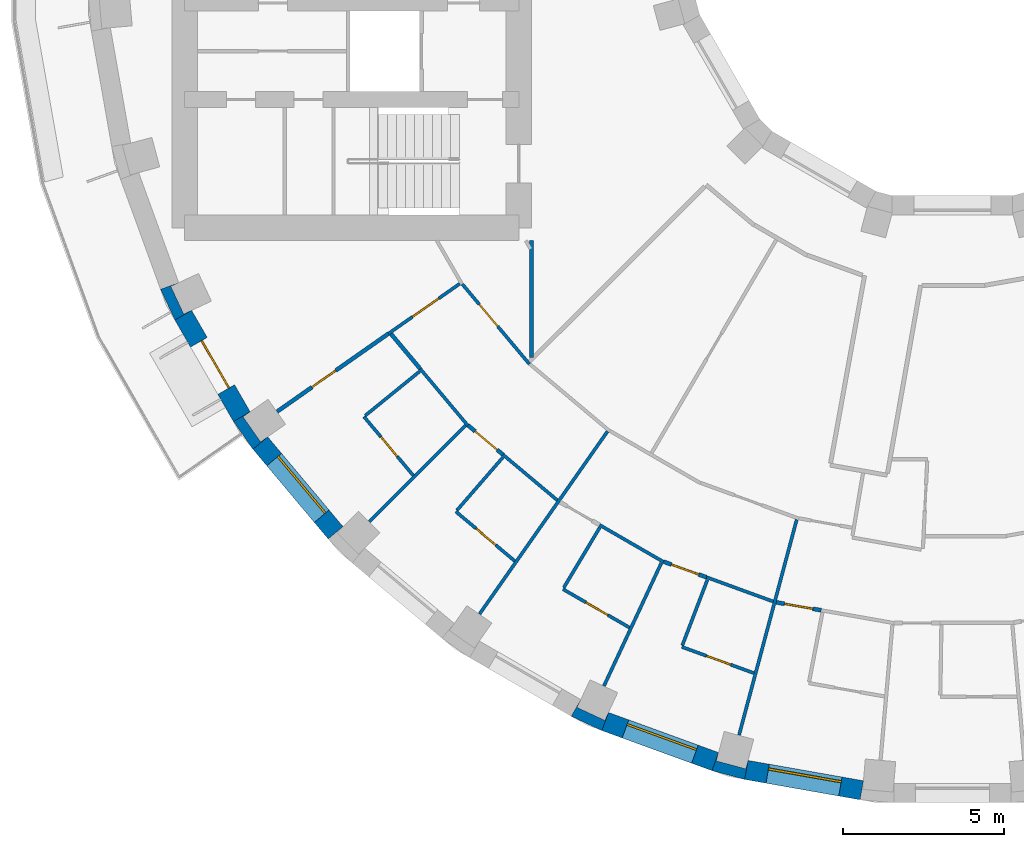
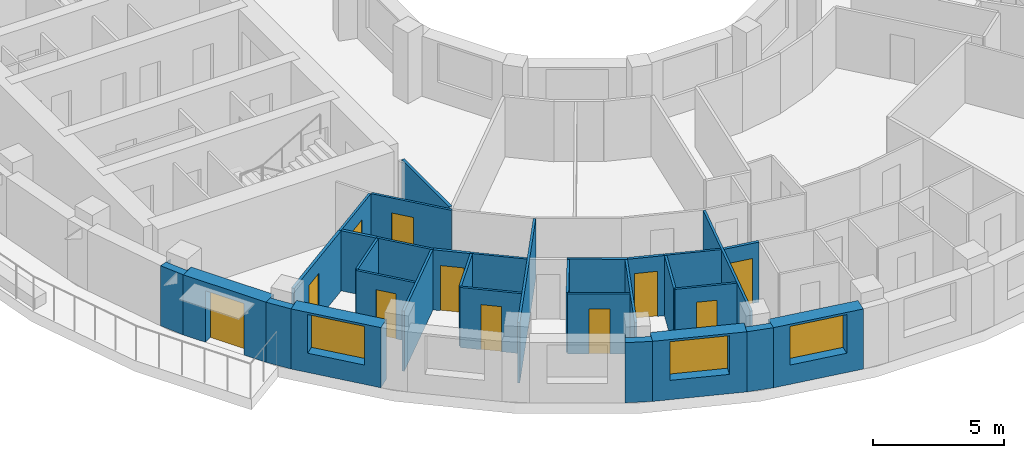
# One storey, part 2 of 12: 32 walls, 11 doors, 3 windows, 14 openings.
"""IFC4 building model written with IfcOpenShell, lengths in metres."""

from ifc_helpers import new_model, si_unit, direction, frame, frame_2d, origin, place, context, subcontext, project, spatial, polyline, rectangle, outline, extrude, material, layer, layer_set, type_object, element, fill, save


model = new_model("IFC4")

# Units and contexts
model_context = context("Model", 3, precision=1e-05, world=origin(), true_north=direction((0.0, 1.0)))
body_context = subcontext(model_context, "Body", "Model", "MODEL_VIEW")
ifc_project = project(units=[si_unit("LENGTHUNIT", "METRE"), si_unit("AREAUNIT", "SQUARE_METRE"), si_unit("VOLUMEUNIT", "CUBIC_METRE"), si_unit("PLANEANGLEUNIT", "RADIAN"), si_unit("MASSUNIT", "GRAM", prefix="KILO")], contexts=[model_context])

# Site, building, storey
site_placement = place(None, origin())
site = spatial("IfcSite", under=ifc_project, at=site_placement, CompositionType="ELEMENT")
building_placement = place(site_placement, origin())
building = spatial("IfcBuilding", under=site, at=building_placement, Name="Saqina Gate Tower", CompositionType="ELEMENT")
storey_placement = place(building_placement, frame((0.0, 0.0, 111.699951171875)))
storey = spatial("IfcBuildingStorey", under=building, at=storey_placement, Name="L31", CompositionType="ELEMENT", Elevation=111.699951171875)

# Walls
ifc_material_1 = material(Name="Brick masonry (buff)", Category="masonry")
wall_type_1 = type_object("IfcWallType", Name="BRICK PIER COPING BUFF", PredefinedType="SOLIDWALL", material=ifc_material_1)
wall_1_placement = place(storey_placement, origin())
element("IfcWall", 1, at=wall_1_placement, inside=storey, type_object=wall_type_1, Name="Pier cap L31 column 21", PredefinedType="SOLIDWALL", context=body_context, shape_type="SweptSolid", body=[
    extrude(outline(polyline([(-24.6513671875, -10.913330078125), (-24.205810546875, -11.869140625), (-23.68603515625, -11.569091796875), (-23.9296875, -11.6826171875), (-24.331298828125, -10.82177734375), (-24.08740234375, -10.7080078125), (-24.6513671875, -10.913330078125)])), origin(), (0.0, 0.0, 1.0), 2.800048828125),
])
wall_2_placement = place(storey_placement, origin())
element("IfcWall", 2, at=wall_2_placement, inside=storey, type_object=wall_type_1, Name="Pier cap L31 column 22", PredefinedType="SOLIDWALL", context=body_context, shape_type="SweptSolid", body=[
    extrude(outline(polyline([(-21.77685546875, -15.89208984375), (-21.317138671875, -15.50634765625), (-21.53759765625, -15.66064453125), (-22.08251953125, -14.88232421875), (-21.862060546875, -14.728271484375), (-22.3818359375, -15.0283203125), (-21.77685546875, -15.89208984375)])), origin(), (0.0, 0.0, 1.0), 2.800048828125),
])
wall_3_placement = place(storey_placement, origin())
element("IfcWall", 3, at=wall_3_placement, inside=storey, type_object=wall_type_1, Name="Pier cap L31 column 25", PredefinedType="SOLIDWALL", context=body_context, shape_type="SweptSolid", body=[
    extrude(outline(polyline([(-10.913330078125, -24.6513671875), (-10.7080078125, -24.08740234375), (-10.82177734375, -24.331298828125), (-11.6826171875, -23.9296875), (-11.569091796875, -23.68603515625), (-11.869140625, -24.205810546875), (-10.913330078125, -24.6513671875)])), origin(), (0.0, 0.0, 1.0), 2.800048828125),
])
wall_4_placement = place(storey_placement, origin())
element("IfcWall", 4, at=wall_4_placement, inside=storey, type_object=wall_type_1, Name="Pier cap L31 column 26", PredefinedType="SOLIDWALL", context=body_context, shape_type="SweptSolid", body=[
    extrude(outline(polyline([(-7.485595703125, -25.89892578125), (-6.466796875, -26.171875), (-6.36279296875, -25.5810546875), (-6.43212890625, -25.8408203125), (-7.349853515625, -25.5947265625), (-7.2802734375, -25.335205078125), (-7.485595703125, -25.89892578125)])), origin(), (0.0, 0.0, 1.0), 2.800048828125),
])

# Wall, opening, door
ifc_material_2 = material(Name="Brick masonry (buff)", Category="masonry")
ifc_layer_1 = layer(ifc_material_2, 0.60009765625)
ifc_layer_set_1 = layer_set([ifc_layer_1], Name="FW-BRICK-BUFF")
wall_type_2 = type_object("IfcWallType", Name="FW-BRICK-BUFF", PredefinedType="SOLIDWALL", material=ifc_layer_set_1)
wall_5_placement = place(storey_placement, frame((-23.94580078125, -11.718994140625, 0.0), z_axis=(0.0, 0.0, 1.0), x_axis=(0.499954196102, -0.866051847062, 0.0)))
wall_5 = element("IfcWall", 5, at=wall_5_placement, inside=storey, type_object=wall_type_2, Name="Facade wall L31 facet 21", PredefinedType="SOLIDWALL", context=body_context, shape_type="SweptSolid", body=[
    extrude(rectangle(XDim=3.647705078125, YDim=0.60009765625, at=frame_2d((1.82373046875, 0.0))), origin(), (0.0, 0.0, 1.0), 2.800048828125),
])
opening_1_placement = place(wall_5_placement, frame((0.973876953125, 0.0, 0.0)))
opening_1 = element("IfcOpeningElement", 6, at=opening_1_placement, cuts=wall_5, Name="Opening G09-D80", PredefinedType="OPENING", context=body_context, shape_type="SweptSolid", body=[
    extrude(rectangle(XDim=1.699951171875, YDim=2.39990234375, at=frame_2d((0.85009765625, 1.199951171875))), frame((0.0, 0.31201171875, 0.0), z_axis=(0.0, -1.0, 0.0), x_axis=(1.0, 0.0, 0.0)), (0.0, 0.0, 1.0), 0.6240234375),
])
ifc_material_3 = material(Name="Aluminium glazing", Category="aluminium")
door_type_1 = type_object("IfcDoorType", Name="GD-B", OperationType="DOUBLE_DOOR_SINGLE_SWING", PredefinedType="DOOR", material=ifc_material_3)
door_1_placement = place(opening_1_placement, frame((1.699951171875, 0.0, 0.0), z_axis=(0.0, 0.0, 1.0), x_axis=(-1.0, 0.0, 0.0)))
door_1 = element("IfcDoor", 7, at=door_1_placement, inside=storey, type_object=door_type_1, Name="Terrace door L31 facet 21", OperationType="DOUBLE_DOOR_SINGLE_SWING", OverallHeight=2.39990234375, OverallWidth=1.699951171875, PredefinedType="DOOR", context=body_context, shape_type="SweptSolid", body=[
    extrude(rectangle(XDim=1.699951171875, YDim=2.39990234375, at=frame_2d((0.85009765625, 1.199951171875))), frame((0.0, -0.0751953125, 0.0), z_axis=(0.0, -1.0, 0.0), x_axis=(1.0, 0.0, 0.0)), (0.0, 0.0, 1.0), 0.050048828125),
])
fill(opening_1, door_1)

# Wall, opening, window
wall_6_placement = place(storey_placement, frame((-21.547119140625, -15.69921875, 0.0), z_axis=(0.0, 0.0, 1.0), x_axis=(0.642774476932, -0.766055462616, 0.0)))
wall_6 = element("IfcWall", 8, at=wall_6_placement, inside=storey, type_object=wall_type_2, Name="Facade wall L31 facet 22", PredefinedType="SOLIDWALL", context=body_context, shape_type="SweptSolid", body=[
    extrude(rectangle(XDim=3.647705078125, YDim=0.60009765625, at=frame_2d((1.82373046875, 0.0))), origin(), (0.0, 0.0, 1.0), 2.800048828125),
])
opening_2_placement = place(wall_6_placement, frame((0.673828125, 0.0, 0.89990234375)))
opening_2 = element("IfcOpeningElement", 9, at=opening_2_placement, cuts=wall_6, Name="Opening G09-W14", PredefinedType="OPENING", context=body_context, shape_type="SweptSolid", body=[
    extrude(rectangle(XDim=2.300048828125, YDim=1.800048828125, at=frame_2d((1.14990234375, 0.89990234375))), frame((0.0, 0.31201171875, 0.0), z_axis=(0.0, -1.0, 0.0), x_axis=(1.0, 0.0, 0.0)), (0.0, 0.0, 1.0), 0.6240234375),
])
ifc_material_4 = material(Name="Aluminium glazing", Category="aluminium")
window_type = type_object("IfcWindowType", Name="WN-B", PartitioningType="SINGLE_PANEL", PredefinedType="WINDOW", material=ifc_material_4)
window_1_placement = place(opening_2_placement, origin())
window_1 = element("IfcWindow", 10, at=window_1_placement, inside=storey, type_object=window_type, Name="Window L31 facet 22", OverallHeight=1.800048828125, OverallWidth=2.300048828125, PartitioningType="SINGLE_PANEL", PredefinedType="WINDOW", context=body_context, shape_type="SweptSolid", body=[
    extrude(rectangle(XDim=2.300048828125, YDim=1.800048828125, at=frame_2d((1.14990234375, 0.89990234375))), frame((0.0, 0.179931640625, 0.0), z_axis=(0.0, -1.0, 0.0), x_axis=(1.0, 0.0, 0.0)), (0.0, 0.0, 1.0), 0.06005859375),
])
fill(opening_2, window_1)

wall_7_placement = place(storey_placement, frame((-10.810791015625, -24.369384765625, 0.0), z_axis=(0.0, 0.0, 1.0), x_axis=(0.939703505393, -0.341990236633, 0.0)))
wall_7 = element("IfcWall", 11, at=wall_7_placement, inside=storey, type_object=wall_type_2, Name="Facade wall L31 facet 25", PredefinedType="SOLIDWALL", context=body_context, shape_type="SweptSolid", body=[
    extrude(rectangle(XDim=3.64794921875, YDim=0.60009765625, at=frame_2d((1.823974609375, 0.0))), origin(), (0.0, 0.0, 1.0), 2.800048828125),
])
opening_3_placement = place(wall_7_placement, frame((0.673828125, 0.0, 0.89990234375)))
opening_3 = element("IfcOpeningElement", 12, at=opening_3_placement, cuts=wall_7, Name="Opening G09-W17", PredefinedType="OPENING", context=body_context, shape_type="SweptSolid", body=[
    extrude(rectangle(XDim=2.300048828125, YDim=1.800048828125, at=frame_2d((1.14990234375, 0.89990234375))), frame((0.0, 0.31201171875, 0.0), z_axis=(0.0, -1.0, 0.0), x_axis=(1.0, 0.0, 0.0)), (0.0, 0.0, 1.0), 0.6240234375),
])
window_2_placement = place(opening_3_placement, origin())
window_2 = element("IfcWindow", 13, at=window_2_placement, inside=storey, type_object=window_type, Name="Window L31 facet 25", OverallHeight=1.800048828125, OverallWidth=2.300048828125, PartitioningType="SINGLE_PANEL", PredefinedType="WINDOW", context=body_context, shape_type="SweptSolid", body=[
    extrude(rectangle(XDim=2.300048828125, YDim=1.800048828125, at=frame_2d((1.14990234375, 0.89990234375))), frame((0.0, 0.179931640625, 0.0), z_axis=(0.0, -1.0, 0.0), x_axis=(1.0, 0.0, 0.0)), (0.0, 0.0, 1.0), 0.06005859375),
])
fill(opening_3, window_2)

wall_8_placement = place(storey_placement, frame((-6.414794921875, -25.87646484375, 0.0), z_axis=(0.0, 0.0, 1.0), x_axis=(0.984803764455, -0.173670796382, 0.0)))
wall_8 = element("IfcWall", 14, at=wall_8_placement, inside=storey, type_object=wall_type_2, Name="Facade wall L31 facet 26", PredefinedType="SOLIDWALL", context=body_context, shape_type="SweptSolid", body=[
    extrude(rectangle(XDim=3.64794921875, YDim=0.60009765625, at=frame_2d((1.823974609375, 0.0))), origin(), (0.0, 0.0, 1.0), 2.800048828125),
])
opening_4_placement = place(wall_8_placement, frame((0.673828125, 0.0, 0.89990234375)))
opening_4 = element("IfcOpeningElement", 15, at=opening_4_placement, cuts=wall_8, Name="Opening G09-W18", PredefinedType="OPENING", context=body_context, shape_type="SweptSolid", body=[
    extrude(rectangle(XDim=2.300048828125, YDim=1.800048828125, at=frame_2d((1.14990234375, 0.89990234375))), frame((0.0, 0.31201171875, 0.0), z_axis=(0.0, -1.0, 0.0), x_axis=(1.0, 0.0, 0.0)), (0.0, 0.0, 1.0), 0.6240234375),
])
window_3_placement = place(opening_4_placement, origin())
window_3 = element("IfcWindow", 16, at=window_3_placement, inside=storey, type_object=window_type, Name="Window L31 facet 26", OverallHeight=1.800048828125, OverallWidth=2.300048828125, PartitioningType="SINGLE_PANEL", PredefinedType="WINDOW", context=body_context, shape_type="SweptSolid", body=[
    extrude(rectangle(XDim=2.300048828125, YDim=1.800048828125, at=frame_2d((1.14990234375, 0.89990234375))), frame((0.0, 0.179931640625, 0.0), z_axis=(0.0, -1.0, 0.0), x_axis=(1.0, 0.0, 0.0)), (0.0, 0.0, 1.0), 0.06005859375),
])
fill(opening_4, window_3)

# Wall, opening, door
ifc_material_5 = material(Name="Gypsum board on steel studs, 100 mm", Category="steel")
ifc_layer_2 = layer(ifc_material_5, 0.10009765625)
ifc_layer_set_2 = layer_set([ifc_layer_2], Name="PARTITION 100")
wall_type_3 = type_object("IfcWallType", Name="PARTITION 100", PredefinedType="PARTITIONING", material=ifc_layer_set_2)
wall_9_placement = place(storey_placement, frame((-18.320068359375, -14.8779296875, 0.0), z_axis=(0.0, 0.0, 1.0), x_axis=(0.642579420328, -0.766219086535, 0.0)))
wall_9 = element("IfcWall", 17, at=wall_9_placement, inside=storey, type_object=wall_type_3, Name="PARTITION PW3-19", PredefinedType="PARTITIONING", context=body_context, shape_type="SweptSolid", body=[
    extrude(rectangle(XDim=2.393310546875, YDim=0.10009765625, at=frame_2d((1.19677734375, 0.0))), origin(), (0.0, 0.0, 1.0), 2.800048828125),
])
opening_5_placement = place(wall_9_placement, frame((0.821533203125, 0.0, 0.0)))
opening_5 = element("IfcOpeningElement", 18, at=opening_5_placement, cuts=wall_9, Name="Opening G09-D32", PredefinedType="OPENING", context=body_context, shape_type="SweptSolid", body=[
    extrude(rectangle(XDim=0.800048828125, YDim=2.10009765625, at=frame_2d((0.39990234375, 1.050048828125))), frame((0.0, 0.06201171875, 0.0), z_axis=(0.0, -1.0, 0.0), x_axis=(1.0, 0.0, 0.0)), (0.0, 0.0, 1.0), 0.1240234375),
])
ifc_material_6 = material(Name="Timber door leaf, 800 mm", Category="wood")
door_type_2 = type_object("IfcDoorType", Name="DOOR 800 TIMBER", OperationType="SINGLE_SWING_LEFT", PredefinedType="DOOR", material=ifc_material_6)
door_2_placement = place(opening_5_placement, frame((0.800048828125, 0.0, 0.0), z_axis=(0.0, 0.0, 1.0), x_axis=(-1.0, 0.0, 0.0)))
door_2 = element("IfcDoor", 19, at=door_2_placement, inside=storey, type_object=door_type_2, Name="DOOR G09-D32", OperationType="SINGLE_SWING_LEFT", OverallHeight=2.10009765625, OverallWidth=0.800048828125, PredefinedType="DOOR", context=body_context, shape_type="SweptSolid", body=[
    extrude(rectangle(XDim=0.800048828125, YDim=2.10009765625, at=frame_2d((0.39990234375, 1.050048828125))), frame((0.0, 0.02490234375, 0.0), z_axis=(0.0, -1.0, 0.0), x_axis=(1.0, 0.0, 0.0)), (0.0, 0.0, 1.0), 0.050048828125),
])
fill(opening_5, door_2)

# Wall
wall_10_placement = place(storey_placement, frame((-16.566162109375, -13.3896484375, 0.0), z_axis=(0.0, 0.0, 1.0), x_axis=(0.642674527844, -0.76613931583, 0.0)))
element("IfcWall", 20, at=wall_10_placement, inside=storey, type_object=wall_type_3, Name="PARTITION PW3-20", PredefinedType="PARTITIONING", context=body_context, shape_type="SweptSolid", body=[
    extrude(rectangle(XDim=2.3017578125, YDim=0.10009765625, at=frame_2d((1.15087890625, 0.0))), origin(), (0.0, 0.0, 1.0), 2.800048828125),
])

# Wall, opening, door
wall_11_placement = place(storey_placement, frame((-15.261962890625, -10.747314453125, 0.0), z_axis=(0.0, 0.0, 1.0), x_axis=(0.642806814248, -0.766028328168, 0.0)))
wall_11 = element("IfcWall", 21, at=wall_11_placement, inside=storey, type_object=wall_type_3, Name="PARTITION PW3-21", PredefinedType="PARTITIONING", context=body_context, shape_type="SweptSolid", body=[
    extrude(rectangle(XDim=3.25537109375, YDim=0.10009765625, at=frame_2d((1.627685546875, 0.0))), origin(), (0.0, 0.0, 1.0), 2.800048828125),
])
opening_6_placement = place(wall_11_placement, frame((0.8271484375, 0.0, 0.0)))
opening_6 = element("IfcOpeningElement", 22, at=opening_6_placement, cuts=wall_11, Name="Opening G09-D31", PredefinedType="OPENING", context=body_context, shape_type="SweptSolid", body=[
    extrude(rectangle(XDim=0.89990234375, YDim=2.10009765625, at=frame_2d((0.449951171875, 1.050048828125))), frame((0.0, 0.06201171875, 0.0), z_axis=(0.0, -1.0, 0.0), x_axis=(1.0, 0.0, 0.0)), (0.0, 0.0, 1.0), 0.1240234375),
])
ifc_material_7 = material(Name="Timber door leaf, 900 mm", Category="wood")
door_type_3 = type_object("IfcDoorType", Name="DOOR 900 TIMBER", OperationType="SINGLE_SWING_LEFT", PredefinedType="DOOR", material=ifc_material_7)
door_3_placement = place(opening_6_placement, origin())
door_3 = element("IfcDoor", 23, at=door_3_placement, inside=storey, type_object=door_type_3, Name="DOOR G09-D31", OperationType="SINGLE_SWING_RIGHT", OverallHeight=2.10009765625, OverallWidth=0.89990234375, PredefinedType="DOOR", context=body_context, shape_type="SweptSolid", body=[
    extrude(rectangle(XDim=0.89990234375, YDim=2.10009765625, at=frame_2d((0.449951171875, 1.050048828125))), frame((0.0, 0.02490234375, 0.0), z_axis=(0.0, -1.0, 0.0), x_axis=(1.0, 0.0, 0.0)), (0.0, 0.0, 1.0), 0.050048828125),
])
fill(opening_6, door_3)

wall_12_placement = place(storey_placement, frame((-15.4580078125, -17.8330078125, 0.0), z_axis=(0.0, 0.0, 1.0), x_axis=(0.765849546445, -0.643019807012, 0.0)))
wall_12 = element("IfcWall", 24, at=wall_12_placement, inside=storey, type_object=wall_type_3, Name="PARTITION PW3-24", PredefinedType="PARTITIONING", context=body_context, shape_type="SweptSolid", body=[
    extrude(rectangle(XDim=2.39306640625, YDim=0.10009765625, at=frame_2d((1.196533203125, 0.0))), origin(), (0.0, 0.0, 1.0), 2.800048828125),
])
opening_7_placement = place(wall_12_placement, frame((0.821533203125, 0.0, 0.0)))
opening_7 = element("IfcOpeningElement", 25, at=opening_7_placement, cuts=wall_12, Name="Opening G09-D34", PredefinedType="OPENING", context=body_context, shape_type="SweptSolid", body=[
    extrude(rectangle(XDim=0.800048828125, YDim=2.10009765625, at=frame_2d((0.39990234375, 1.050048828125))), frame((0.0, 0.06201171875, 0.0), z_axis=(0.0, -1.0, 0.0), x_axis=(1.0, 0.0, 0.0)), (0.0, 0.0, 1.0), 0.1240234375),
])
door_4_placement = place(opening_7_placement, frame((0.800048828125, 0.0, 0.0), z_axis=(0.0, 0.0, 1.0), x_axis=(-1.0, 0.0, 0.0)))
door_4 = element("IfcDoor", 26, at=door_4_placement, inside=storey, type_object=door_type_2, Name="DOOR G09-D34", OperationType="SINGLE_SWING_LEFT", OverallHeight=2.10009765625, OverallWidth=0.800048828125, PredefinedType="DOOR", context=body_context, shape_type="SweptSolid", body=[
    extrude(rectangle(XDim=0.800048828125, YDim=2.10009765625, at=frame_2d((0.39990234375, 1.050048828125))), frame((0.0, 0.02490234375, 0.0), z_axis=(0.0, -1.0, 0.0), x_axis=(1.0, 0.0, 0.0)), (0.0, 0.0, 1.0), 0.050048828125),
])
fill(opening_7, door_4)

# Wall
wall_13_placement = place(storey_placement, frame((-13.9892578125, -16.062744140625, 0.0), z_axis=(0.0, 0.0, 1.0), x_axis=(0.766038513467, -0.642794676305, 0.0)))
element("IfcWall", 27, at=wall_13_placement, inside=storey, type_object=wall_type_3, Name="PARTITION PW3-25", PredefinedType="PARTITIONING", context=body_context, shape_type="SweptSolid", body=[
    extrude(rectangle(XDim=2.204833984375, YDim=0.10009765625, at=frame_2d((1.1025390625, 0.0))), origin(), (0.0, 0.0, 1.0), 2.800048828125),
])

# Wall, opening, door
wall_14_placement = place(storey_placement, frame((-12.1259765625, -20.2470703125, 0.0), z_axis=(0.0, 0.0, 1.0), x_axis=(0.866042831623, -0.499969812883, 0.0)))
wall_14 = element("IfcWall", 28, at=wall_14_placement, inside=storey, type_object=wall_type_3, Name="PARTITION PW3-31", PredefinedType="PARTITIONING", context=body_context, shape_type="SweptSolid", body=[
    extrude(rectangle(XDim=2.392333984375, YDim=0.10009765625, at=frame_2d((1.1962890625, 0.0))), origin(), (0.0, 0.0, 1.0), 2.800048828125),
])
opening_8_placement = place(wall_14_placement, frame((0.821044921875, 0.0, 0.0)))
opening_8 = element("IfcOpeningElement", 29, at=opening_8_placement, cuts=wall_14, Name="Opening G09-D37", PredefinedType="OPENING", context=body_context, shape_type="SweptSolid", body=[
    extrude(rectangle(XDim=0.800048828125, YDim=2.10009765625, at=frame_2d((0.39990234375, 1.050048828125))), frame((0.0, 0.06201171875, 0.0), z_axis=(0.0, -1.0, 0.0), x_axis=(1.0, 0.0, 0.0)), (0.0, 0.0, 1.0), 0.1240234375),
])
door_5_placement = place(opening_8_placement, frame((0.800048828125, 0.0, 0.0), z_axis=(0.0, 0.0, 1.0), x_axis=(-1.0, 0.0, 0.0)))
door_5 = element("IfcDoor", 30, at=door_5_placement, inside=storey, type_object=door_type_2, Name="DOOR G09-D37", OperationType="SINGLE_SWING_LEFT", OverallHeight=2.10009765625, OverallWidth=0.800048828125, PredefinedType="DOOR", context=body_context, shape_type="SweptSolid", body=[
    extrude(rectangle(XDim=0.800048828125, YDim=2.10009765625, at=frame_2d((0.39990234375, 1.050048828125))), frame((0.0, 0.02490234375, 0.0), z_axis=(0.0, -1.0, 0.0), x_axis=(1.0, 0.0, 0.0)), (0.0, 0.0, 1.0), 0.050048828125),
])
fill(opening_8, door_5)

# Walls
wall_15_placement = place(storey_placement, frame((-10.9873046875, -18.248046875, 0.0), z_axis=(0.0, 0.0, 1.0), x_axis=(0.865887497708, -0.500238784294, 0.0)))
element("IfcWall", 31, at=wall_15_placement, inside=storey, type_object=wall_type_3, Name="PARTITION PW3-32", PredefinedType="PARTITIONING", context=body_context, shape_type="SweptSolid", body=[
    extrude(rectangle(XDim=2.305419921875, YDim=0.10009765625, at=frame_2d((1.15283203125, 0.0))), origin(), (0.0, 0.0, 1.0), 2.800048828125),
])
wall_16_placement = place(storey_placement, frame((-7.6513671875, -19.877197265625, 0.0), z_axis=(0.0, 0.0, 1.0), x_axis=(0.939404870565, -0.342809698169, 0.0)))
element("IfcWall", 32, at=wall_16_placement, inside=storey, type_object=wall_type_3, Name="PARTITION PW3-38", PredefinedType="PARTITIONING", context=body_context, shape_type="SweptSolid", body=[
    extrude(rectangle(XDim=2.204833984375, YDim=0.10009765625, at=frame_2d((1.1025390625, 0.0))), origin(), (0.0, 0.0, 1.0), 2.800048828125),
])

# Wall, opening, door
wall_17_placement = place(storey_placement, frame((-8.426025390625, -22.044921875, 0.0), z_axis=(0.0, 0.0, 1.0), x_axis=(0.93973977618, -0.341890557146, 0.0)))
wall_17 = element("IfcWall", 33, at=wall_17_placement, inside=storey, type_object=wall_type_3, Name="PARTITION PW3-39", PredefinedType="PARTITIONING", context=body_context, shape_type="SweptSolid", body=[
    extrude(rectangle(XDim=2.39208984375, YDim=0.10009765625, at=frame_2d((1.196044921875, 0.0))), origin(), (0.0, 0.0, 1.0), 2.800048828125),
])
opening_9_placement = place(wall_17_placement, frame((0.821044921875, 0.0, 0.0)))
opening_9 = element("IfcOpeningElement", 34, at=opening_9_placement, cuts=wall_17, Name="Opening G09-D40", PredefinedType="OPENING", context=body_context, shape_type="SweptSolid", body=[
    extrude(rectangle(XDim=0.800048828125, YDim=2.10009765625, at=frame_2d((0.39990234375, 1.050048828125))), frame((0.0, 0.06201171875, 0.0), z_axis=(0.0, -1.0, 0.0), x_axis=(1.0, 0.0, 0.0)), (0.0, 0.0, 1.0), 0.1240234375),
])
door_6_placement = place(opening_9_placement, frame((0.800048828125, 0.0, 0.0), z_axis=(0.0, 0.0, 1.0), x_axis=(-1.0, 0.0, 0.0)))
door_6 = element("IfcDoor", 35, at=door_6_placement, inside=storey, type_object=door_type_2, Name="DOOR G09-D40", OperationType="SINGLE_SWING_LEFT", OverallHeight=2.10009765625, OverallWidth=0.800048828125, PredefinedType="DOOR", context=body_context, shape_type="SweptSolid", body=[
    extrude(rectangle(XDim=0.800048828125, YDim=2.10009765625, at=frame_2d((0.39990234375, 1.050048828125))), frame((0.0, 0.02490234375, 0.0), z_axis=(0.0, -1.0, 0.0), x_axis=(1.0, 0.0, 0.0)), (0.0, 0.0, 1.0), 0.050048828125),
])
fill(opening_9, door_6)

wall_18_placement = place(storey_placement, frame((-17.552978515625, -12.290771484375, 0.0), z_axis=(0.0, 0.0, 1.0), x_axis=(0.819126011037, 0.573613613893, 0.0)))
wall_18 = element("IfcWall", 36, at=wall_18_placement, inside=storey, type_object=wall_type_3, Name="PARTITION PW3-72", PredefinedType="PARTITIONING", context=body_context, shape_type="SweptSolid", body=[
    extrude(rectangle(XDim=2.707763671875, YDim=0.10009765625, at=frame_2d((1.35400390625, 0.0))), origin(), (0.0, 0.0, 1.0), 2.800048828125),
])
opening_10_placement = place(wall_18_placement, frame((0.90380859375, 0.0, 0.0)))
opening_10 = element("IfcOpeningElement", 37, at=opening_10_placement, cuts=wall_18, Name="Opening G09-D29", PredefinedType="OPENING", context=body_context, shape_type="SweptSolid", body=[
    extrude(rectangle(XDim=1.0, YDim=2.10009765625, at=frame_2d((0.5, 1.050048828125))), frame((0.0, 0.06201171875, 0.0), z_axis=(0.0, -1.0, 0.0), x_axis=(1.0, 0.0, 0.0)), (0.0, 0.0, 1.0), 0.1240234375),
])
ifc_material_8 = material(Name="Timber door leaf, 1000 mm", Category="wood")
door_type_4 = type_object("IfcDoorType", Name="DOOR 1000 TIMBER", OperationType="SINGLE_SWING_LEFT", PredefinedType="DOOR", material=ifc_material_8)
door_7_placement = place(opening_10_placement, origin())
door_7 = element("IfcDoor", 38, at=door_7_placement, inside=storey, type_object=door_type_4, Name="DOOR G09-D29", OperationType="SINGLE_SWING_RIGHT", OverallHeight=2.10009765625, OverallWidth=1.0, PredefinedType="DOOR", context=body_context, shape_type="SweptSolid", body=[
    extrude(rectangle(XDim=1.0, YDim=2.10009765625, at=frame_2d((0.5, 1.050048828125))), frame((0.0, 0.02490234375, 0.0), z_axis=(0.0, -1.0, 0.0), x_axis=(1.0, 0.0, 0.0)), (0.0, 0.0, 1.0), 0.050048828125),
])
fill(opening_10, door_7)

# Walls
wall_19_placement = place(storey_placement, frame((-18.28125, -14.846435546875, 0.0), z_axis=(0.0, 0.0, 1.0), x_axis=(0.77635285049, 0.630298541595, 0.0)))
element("IfcWall", 39, at=wall_19_placement, inside=storey, type_object=wall_type_3, Name="PARTITION PW3-73", PredefinedType="PARTITIONING", context=body_context, shape_type="SweptSolid", body=[
    extrude(rectangle(XDim=2.18798828125, YDim=0.10009765625, at=frame_2d((1.093994140625, 0.0))), origin(), (0.0, 0.0, 1.0), 2.800048828125),
])
wall_20_placement = place(storey_placement, frame((-18.14794921875, -18.14794921875, 0.0), z_axis=(0.0, 0.0, 1.0), x_axis=(0.707106781187, 0.707106781187, 0.0)))
element("IfcWall", 40, at=wall_20_placement, inside=storey, type_object=wall_type_3, Name="PARTITION PW3-77", PredefinedType="PARTITIONING", context=body_context, shape_type="SweptSolid", body=[
    extrude(rectangle(XDim=4.236328125, YDim=0.10009765625, at=frame_2d((2.1181640625, 0.0))), origin(), (0.0, 0.0, 1.0), 2.800048828125),
])
wall_21_placement = place(storey_placement, frame((-15.42529296875, -17.795166015625, 0.0), z_axis=(0.0, 0.0, 1.0), x_axis=(0.65516417325, 0.755486536008, 0.0)))
element("IfcWall", 41, at=wall_21_placement, inside=storey, type_object=wall_type_3, Name="PARTITION PW3-79", PredefinedType="PARTITIONING", context=body_context, shape_type="SweptSolid", body=[
    extrude(rectangle(XDim=2.187744140625, YDim=0.10009765625, at=frame_2d((1.09375, 0.0))), origin(), (0.0, 0.0, 1.0), 2.800048828125),
])
wall_22_placement = place(storey_placement, frame((-14.721923828125, -21.02294921875, 0.0), z_axis=(0.0, 0.0, 1.0), x_axis=(0.573811489918, 0.818987407741, 0.0)))
element("IfcWall", 42, at=wall_22_placement, inside=storey, type_object=wall_type_3, Name="PARTITION PW3-83", PredefinedType="PARTITIONING", context=body_context, shape_type="SweptSolid", body=[
    extrude(rectangle(XDim=6.944580078125, YDim=0.10009765625, at=frame_2d((3.47216796875, 0.0))), origin(), (0.0, 0.0, 1.0), 2.800048828125),
])
wall_23_placement = place(storey_placement, frame((-12.100341796875, -20.2041015625, 0.0), z_axis=(0.0, 0.0, 1.0), x_axis=(0.513757266297, 0.857935586933, 0.0)))
element("IfcWall", 43, at=wall_23_placement, inside=storey, type_object=wall_type_3, Name="PARTITION PW3-85", PredefinedType="PARTITIONING", context=body_context, shape_type="SweptSolid", body=[
    extrude(rectangle(XDim=2.188232421875, YDim=0.10009765625, at=frame_2d((1.09423828125, 0.0))), origin(), (0.0, 0.0, 1.0), 2.800048828125),
])
wall_24_placement = place(storey_placement, frame((-10.847412109375, -23.260009765625, 0.0), z_axis=(0.0, 0.0, 1.0), x_axis=(0.422841161976, 0.906203813575, 0.0)))
element("IfcWall", 44, at=wall_24_placement, inside=storey, type_object=wall_type_3, Name="PARTITION PW3-93", PredefinedType="PARTITIONING", context=body_context, shape_type="SweptSolid", body=[
    extrude(rectangle(XDim=4.2236328125, YDim=0.10009765625, at=frame_2d((2.11181640625, 0.0))), origin(), (0.0, 0.0, 1.0), 2.800048828125),
])
wall_25_placement = place(storey_placement, frame((-8.408203125, -21.998291015625, 0.0), z_axis=(0.0, 0.0, 1.0), x_axis=(0.356937039246, 0.934128444067, 0.0)))
element("IfcWall", 45, at=wall_25_placement, inside=storey, type_object=wall_type_3, Name="PARTITION PW3-96", PredefinedType="PARTITIONING", context=body_context, shape_type="SweptSolid", body=[
    extrude(rectangle(XDim=2.18798828125, YDim=0.10009765625, at=frame_2d((1.093994140625, 0.0))), origin(), (0.0, 0.0, 1.0), 2.800048828125),
])
wall_26_placement = place(storey_placement, frame((-6.641845703125, -24.790771484375, 0.0), z_axis=(0.0, 0.0, 1.0), x_axis=(0.258515851323, 0.966007015821, 0.0)))
element("IfcWall", 46, at=wall_26_placement, inside=storey, type_object=wall_type_3, Name="PARTITION PW3-98", PredefinedType="PARTITIONING", context=body_context, shape_type="SweptSolid", body=[
    extrude(rectangle(XDim=6.945068359375, YDim=0.10009765625, at=frame_2d((3.47265625, 0.0))), origin(), (0.0, 0.0, 1.0), 2.800048828125),
])
ifc_material_9 = material(Name="Gypsum board on steel studs, 125 mm, fire rated", Category="steel")
ifc_layer_3 = layer(ifc_material_9, 0.125)
ifc_layer_set_3 = layer_set([ifc_layer_3], Name="PARTITION EI 30 125")
wall_type_4 = type_object("IfcWallType", Name="PARTITION EI 30 125", PredefinedType="PARTITIONING", material=ifc_layer_set_3)
wall_27_placement = place(storey_placement, frame((-17.479736328125, -12.30029296875, 0.0), z_axis=(0.0, 0.0, 1.0), x_axis=(0.642579742467, -0.766218816378, 0.0)))
element("IfcWall", 47, at=wall_27_placement, inside=storey, type_object=wall_type_4, Name="PARTITION PW1-03", PredefinedType="PARTITIONING", context=body_context, shape_type="SweptSolid", body=[
    extrude(rectangle(XDim=1.421630859375, YDim=0.125, at=frame_2d((0.7109375, 0.0))), origin(), (0.0, 0.0, 1.0), 2.800048828125),
])

# Wall, opening, door
wall_28_placement = place(storey_placement, frame((-15.08154296875, -15.146728515625, 0.0), z_axis=(0.0, 0.0, 1.0), x_axis=(0.766139864475, -0.642673873798, 0.0)))
wall_28 = element("IfcWall", 48, at=wall_28_placement, inside=storey, type_object=wall_type_4, Name="PARTITION PW1-08", PredefinedType="PARTITIONING", context=body_context, shape_type="SweptSolid", body=[
    extrude(rectangle(XDim=1.42578125, YDim=0.125, at=frame_2d((0.712890625, 0.0))), origin(), (0.0, 0.0, 1.0), 2.800048828125),
])
opening_11_placement = place(wall_28_placement, frame((0.28759765625, 0.0, 0.0)))
opening_11 = element("IfcOpeningElement", 49, at=opening_11_placement, cuts=wall_28, Name="Opening G09-D33", PredefinedType="OPENING", context=body_context, shape_type="SweptSolid", body=[
    extrude(rectangle(XDim=0.89990234375, YDim=2.10009765625, at=frame_2d((0.449951171875, 1.050048828125))), frame((0.0, 0.074462890625, 0.0), z_axis=(0.0, -1.0, 0.0), x_axis=(1.0, 0.0, 0.0)), (0.0, 0.0, 1.0), 0.14892578125),
])
ifc_material_10 = material(Name="Fire door leaf EI 30, 900 mm")
door_type_5 = type_object("IfcDoorType", Name="DOOR 900 EI 30", OperationType="SINGLE_SWING_LEFT", PredefinedType="DOOR", material=ifc_material_10)
door_8_placement = place(opening_11_placement, origin())
door_8 = element("IfcDoor", 50, at=door_8_placement, inside=storey, type_object=door_type_5, Name="DOOR G09-D33", OperationType="SINGLE_SWING_LEFT", OverallHeight=2.10009765625, OverallWidth=0.89990234375, PredefinedType="DOOR", context=body_context, shape_type="SweptSolid", body=[
    extrude(rectangle(XDim=0.89990234375, YDim=2.10009765625, at=frame_2d((0.449951171875, 1.050048828125))), frame((0.0, 0.02490234375, 0.0), z_axis=(0.0, -1.0, 0.0), x_axis=(1.0, 0.0, 0.0)), (0.0, 0.0, 1.0), 0.050048828125),
])
fill(opening_11, door_8)

wall_29_placement = place(storey_placement, frame((-8.988037109375, -19.39306640625, 0.0), z_axis=(0.0, 0.0, 1.0), x_axis=(0.939783394235, -0.341770642275, 0.0)))
wall_29 = element("IfcWall", 51, at=wall_29_placement, inside=storey, type_object=wall_type_4, Name="PARTITION PW1-15", PredefinedType="PARTITIONING", context=body_context, shape_type="SweptSolid", body=[
    extrude(rectangle(XDim=1.421630859375, YDim=0.125, at=frame_2d((0.7109375, 0.0))), origin(), (0.0, 0.0, 1.0), 2.800048828125),
])
opening_12_placement = place(wall_29_placement, frame((0.2607421875, 0.0, 0.0)))
opening_12 = element("IfcOpeningElement", 52, at=opening_12_placement, cuts=wall_29, Name="Opening G09-D38", PredefinedType="OPENING", context=body_context, shape_type="SweptSolid", body=[
    extrude(rectangle(XDim=0.89990234375, YDim=2.10009765625, at=frame_2d((0.449951171875, 1.050048828125))), frame((0.0, 0.074462890625, 0.0), z_axis=(0.0, -1.0, 0.0), x_axis=(1.0, 0.0, 0.0)), (0.0, 0.0, 1.0), 0.14892578125),
])
door_9_placement = place(opening_12_placement, origin())
door_9 = element("IfcDoor", 53, at=door_9_placement, inside=storey, type_object=door_type_5, Name="DOOR G09-D38", OperationType="SINGLE_SWING_LEFT", OverallHeight=2.10009765625, OverallWidth=0.89990234375, PredefinedType="DOOR", context=body_context, shape_type="SweptSolid", body=[
    extrude(rectangle(XDim=0.89990234375, YDim=2.10009765625, at=frame_2d((0.449951171875, 1.050048828125))), frame((0.0, 0.02490234375, 0.0), z_axis=(0.0, -1.0, 0.0), x_axis=(1.0, 0.0, 0.0)), (0.0, 0.0, 1.0), 0.050048828125),
])
fill(opening_12, door_9)

wall_30_placement = place(storey_placement, frame((-5.483642578125, -20.65869140625, 0.0), z_axis=(0.0, 0.0, 1.0), x_axis=(0.984828496868, -0.173530492295, 0.0)))
wall_30 = element("IfcWall", 54, at=wall_30_placement, inside=storey, type_object=wall_type_4, Name="PARTITION PW1-19", PredefinedType="PARTITIONING", context=body_context, shape_type="SweptSolid", body=[
    extrude(rectangle(XDim=1.4208984375, YDim=0.125, at=frame_2d((0.71044921875, 0.0))), origin(), (0.0, 0.0, 1.0), 2.800048828125),
])
opening_13_placement = place(wall_30_placement, frame((0.260498046875, 0.0, 0.0)))
opening_13 = element("IfcOpeningElement", 55, at=opening_13_placement, cuts=wall_30, Name="Opening G09-D41", PredefinedType="OPENING", context=body_context, shape_type="SweptSolid", body=[
    extrude(rectangle(XDim=0.89990234375, YDim=2.10009765625, at=frame_2d((0.449951171875, 1.050048828125))), frame((0.0, 0.074462890625, 0.0), z_axis=(0.0, -1.0, 0.0), x_axis=(1.0, 0.0, 0.0)), (0.0, 0.0, 1.0), 0.14892578125),
])
door_10_placement = place(opening_13_placement, origin())
door_10 = element("IfcDoor", 56, at=door_10_placement, inside=storey, type_object=door_type_5, Name="DOOR G09-D41", OperationType="SINGLE_SWING_LEFT", OverallHeight=2.10009765625, OverallWidth=0.89990234375, PredefinedType="DOOR", context=body_context, shape_type="SweptSolid", body=[
    extrude(rectangle(XDim=0.89990234375, YDim=2.10009765625, at=frame_2d((0.449951171875, 1.050048828125))), frame((0.0, 0.02490234375, 0.0), z_axis=(0.0, -1.0, 0.0), x_axis=(1.0, 0.0, 0.0)), (0.0, 0.0, 1.0), 0.050048828125),
])
fill(opening_13, door_10)

wall_31_placement = place(storey_placement, frame((-21.023681640625, -14.720703125, 0.0), z_axis=(0.0, 0.0, 1.0), x_axis=(0.819183188517, 0.573531955213, 0.0)))
wall_31 = element("IfcWall", 57, at=wall_31_placement, inside=storey, type_object=wall_type_4, Name="PARTITION PW1-37", PredefinedType="PARTITIONING", context=body_context, shape_type="SweptSolid", body=[
    extrude(rectangle(XDim=4.23681640625, YDim=0.125, at=frame_2d((2.118408203125, 0.0))), origin(), (0.0, 0.0, 1.0), 2.800048828125),
])
opening_14_placement = place(wall_31_placement, frame((1.326904296875, 0.0, 0.0)))
opening_14 = element("IfcOpeningElement", 58, at=opening_14_placement, cuts=wall_31, Name="Opening G09-D30", PredefinedType="OPENING", context=body_context, shape_type="SweptSolid", body=[
    extrude(rectangle(XDim=0.89990234375, YDim=2.10009765625, at=frame_2d((0.449951171875, 1.050048828125))), frame((0.0, 0.074462890625, 0.0), z_axis=(0.0, -1.0, 0.0), x_axis=(1.0, 0.0, 0.0)), (0.0, 0.0, 1.0), 0.14892578125),
])
door_11_placement = place(opening_14_placement, origin())
door_11 = element("IfcDoor", 59, at=door_11_placement, inside=storey, type_object=door_type_5, Name="DOOR G09-D30", OperationType="SINGLE_SWING_LEFT", OverallHeight=2.10009765625, OverallWidth=0.89990234375, PredefinedType="DOOR", context=body_context, shape_type="SweptSolid", body=[
    extrude(rectangle(XDim=0.89990234375, YDim=2.10009765625, at=frame_2d((0.449951171875, 1.050048828125))), frame((0.0, 0.02490234375, 0.0), z_axis=(0.0, -1.0, 0.0), x_axis=(1.0, 0.0, 0.0)), (0.0, 0.0, 1.0), 0.050048828125),
])
fill(opening_14, door_11)

# Wall
wall_32_placement = place(storey_placement, frame((-13.10009765625, -13.032470703125, 0.0), z_axis=(0.0, 0.0, 1.0), x_axis=(0.0, 1.0, 0.0)))
element("IfcWall", 60, at=wall_32_placement, inside=storey, type_object=wall_type_4, Name="PARTITION PW1-51", PredefinedType="PARTITIONING", context=body_context, shape_type="SweptSolid", body=[
    extrude(rectangle(XDim=3.632568359375, YDim=0.125, at=frame_2d((1.81640625, 0.0))), origin(), (0.0, 0.0, 1.0), 2.800048828125),
])

save(model, "model.ifc")
